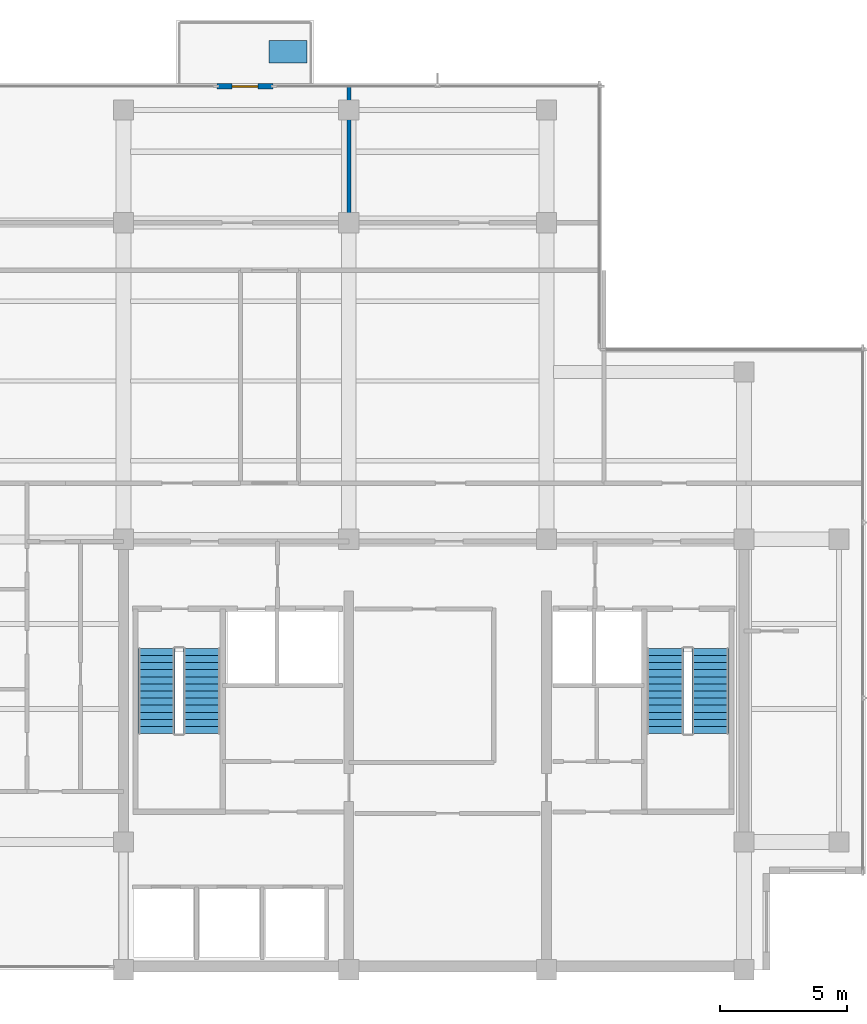
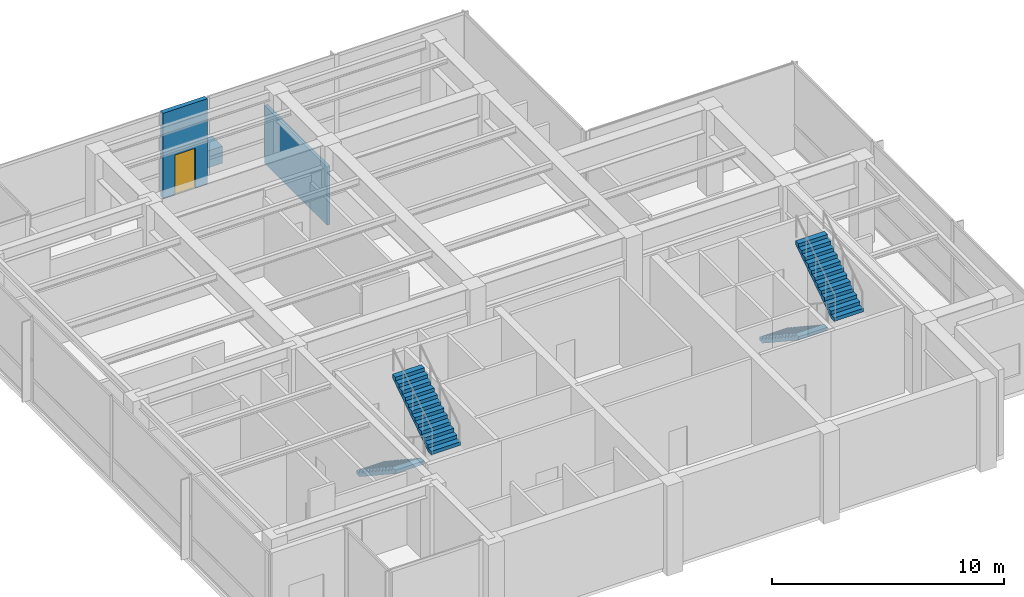
# One storey, part 8 of 11: 4 stair flights, 2 walls, 1 discrete accessory, 1 door, 1 opening, 2 elements without a shape of their own.
"""IFC4 building model written with IfcOpenShell, lengths in metres."""

from ifc_helpers import new_model, si_unit, direction, frame, frame_2d, origin, place, context, subcontext, project, spatial, polyline, rectangle, outline, extrude, material, layer, layer_set, type_object, element, fill, aggregate, save


model = new_model("IFC4")

# Units and contexts
model_context = context("Model", 3, precision=1e-05, world=origin(), true_north=direction((0.0, 1.0)))
body_context = subcontext(model_context, "Body", "Model", "MODEL_VIEW")
ifc_project = project(units=[si_unit("LENGTHUNIT", "METRE"), si_unit("AREAUNIT", "SQUARE_METRE"), si_unit("VOLUMEUNIT", "CUBIC_METRE"), si_unit("PLANEANGLEUNIT", "RADIAN"), si_unit("MASSUNIT", "GRAM", prefix="KILO")], contexts=[model_context])

# Site, building, storey
site_placement = place(None, origin())
site = spatial("IfcSite", under=ifc_project, at=site_placement, CompositionType="ELEMENT")
building_placement = place(site_placement, origin())
building = spatial("IfcBuilding", under=site, at=building_placement, Name="Qalmaran Belvedere Hotel", CompositionType="ELEMENT")
storey_placement = place(building_placement, frame((0.0, 0.0, 293.89990234375)))
storey = spatial("IfcBuildingStorey", under=building, at=storey_placement, Name="L76", CompositionType="ELEMENT", Elevation=293.89990234375)

# Wall, opening, door
ifc_material_1 = material(Name="Anodised Bronze Cladding")
ifc_layer_1 = layer(ifc_material_1, 0.22509765625, Name="Anodised Bronze Cladding")
ifc_layer_set_1 = layer_set([ifc_layer_1], Name="Anodised Bronze Cladding")
wall_type_1 = type_object("IfcWallType", Name="WL-BAL-PORT-225", PredefinedType="SOLIDWALL", material=ifc_layer_set_1)
wall_1_placement = place(storey_placement, frame((24.0, 38.3798828125, 0.0), z_axis=(0.0, 0.0, 1.0), x_axis=(1.0, 0.0, 0.0)))
wall_1 = element("IfcWall", 1, at=wall_1_placement, inside=storey, type_object=wall_type_1, Name="L76 Tree Balcony Door Portal", PredefinedType="SOLIDWALL", context=body_context, shape_type="SweptSolid", body=[
    extrude(rectangle(XDim=2.199951171875, YDim=0.22509765625, at=frame_2d((1.10009765625, 0.0))), origin(), (0.0, 0.0, 1.0), 4.5),
])
opening_placement = place(wall_1_placement, frame((0.590087890625, 0.0, 0.0)))
opening = element("IfcOpeningElement", 2, at=opening_placement, cuts=wall_1, Name="Opening BL-102", PredefinedType="OPENING", context=body_context, shape_type="SweptSolid", body=[
    extrude(rectangle(XDim=1.02001953125, YDim=2.10009765625, at=frame_2d((0.510009765625, 1.050048828125))), frame((0.0, 0.12255859375, 0.0), z_axis=(0.0, -1.0, 0.0), x_axis=(1.0, 0.0, 0.0)), (0.0, 0.0, 1.0), 0.2451171875),
])
ifc_material_2 = material(Name="Anodised Bronze Aluminium", Category="aluminium")
door_type = type_object("IfcDoorType", Name="DR-BAL-1020X2100", OperationType="NOTDEFINED", PredefinedType="DOOR", material=ifc_material_2)
door_placement = place(opening_placement, origin())
door = element("IfcDoor", 3, at=door_placement, inside=storey, type_object=door_type, Name="L76 Planted Tree Balcony Door", OperationType="SINGLE_SWING_LEFT", OverallHeight=2.10009765625, OverallWidth=1.02001953125, PredefinedType="DOOR", context=body_context, shape_type="SweptSolid", body=[
    extrude(rectangle(XDim=1.02001953125, YDim=2.10009765625, at=frame_2d((0.510009765625, 1.050048828125))), frame((0.0, 0.02490234375, 0.0), z_axis=(0.0, -1.0, 0.0), x_axis=(1.0, 0.0, 0.0)), (0.0, 0.0, 1.0), 0.050048828125),
])
fill(opening, door)

# Wall
ifc_material_3 = material(Name="Gypsum Stud Partition")
ifc_layer_2 = layer(ifc_material_3, 0.159912109375, Name="Gypsum Stud Partition")
ifc_layer_set_2 = layer_set([ifc_layer_2], Name="Gypsum Stud Partition")
wall_type_2 = type_object("IfcWallType", Name="WL-INT-160-EI60", PredefinedType="PARTITIONING", material=ifc_layer_set_2)
wall_2_placement = place(storey_placement, frame((29.199951171875, 33.0, 0.0), z_axis=(0.0, 0.0, 1.0), x_axis=(0.0, 1.0, 0.0)))
element("IfcWall", 4, at=wall_2_placement, inside=storey, type_object=wall_type_2, Name="L76 Partition WL-L76-NFV1", PredefinedType="PARTITIONING", context=body_context, shape_type="SweptSolid", body=[
    extrude(rectangle(XDim=5.3798828125, YDim=0.159912109375, at=frame_2d((2.68994140625, 0.0))), origin(), (0.0, 0.0, 1.0), 3.065185546875),
])

# Stair, stair flights
ifc_material_4 = material(Name="Concrete C40/50", Category="concrete")
stair_type_1 = type_object("IfcStairType", Name="STR-ST-1-1450-R1846", PredefinedType="HALF_TURN_STAIR", material=ifc_material_4)
stair_1_placement = place(storey_placement, origin())
stair_1 = element("IfcStair", 5, at=stair_1_placement, inside=storey, type_object=stair_type_1, Name="L76 West Core Exit Stair ST-1", PredefinedType="HALF_TURN_STAIR")
ifc_layer_3 = layer(ifc_material_4, 0.14990234375, Name="Concrete C40/50")
ifc_layer_set_3 = layer_set([ifc_layer_3], Name="Concrete C40/50")
stair_flight_type_1 = type_object("IfcStairFlightType", Name="STF-ST-1-1450-R1846", PredefinedType="STRAIGHT", material=ifc_layer_set_3)
stair_flight_1_placement = place(storey_placement, frame((21.60498046875, 16.18994140625, 0.0), z_axis=(0.0, 0.0, 1.0), x_axis=(0.0, -1.0, 0.0)))
stair_flight_1 = element("IfcStairFlight", 6, at=stair_flight_1_placement, type_object=stair_flight_type_1, Name="ST-1 flight 1", NumberOfRisers=13, NumberOfTreads=12, PredefinedType="STRAIGHT", RiserHeight=0.184615385, TreadLength=0.28, context=body_context, shape_type="SweptSolid", body=[
    extrude(outline(polyline([(0.0, 0.0), (0.0, 0.1845703125), (0.280029296875, 0.1845703125), (0.280029296875, 0.369140625), (0.56005859375, 0.369140625), (0.56005859375, 0.553955078125), (0.840087890625, 0.553955078125), (0.840087890625, 0.738525390625), (1.1201171875, 0.738525390625), (1.1201171875, 0.923095703125), (1.39990234375, 0.923095703125), (1.39990234375, 1.107666015625), (1.679931640625, 1.107666015625), (1.679931640625, 1.292236328125), (1.9599609375, 1.292236328125), (1.9599609375, 1.476806640625), (2.239990234375, 1.476806640625), (2.239990234375, 1.66162109375), (2.52001953125, 1.66162109375), (2.52001953125, 1.84619140625), (2.800048828125, 1.84619140625), (2.800048828125, 2.03076171875), (3.080078125, 2.03076171875), (3.080078125, 2.21533203125), (3.360107421875, 2.21533203125), (3.360107421875, 2.39990234375), (3.360107421875, 2.035888671875), (0.272216796875, 0.0), (0.0, 0.0)])), frame((0.0, 0.72509765625, 0.0), z_axis=(0.0, -1.0, 0.0), x_axis=(1.0, 0.0, 0.0)), (0.0, 0.0, 1.0), 1.449951171875),
])
stair_flight_2_placement = place(storey_placement, frame((23.39501953125, 12.830078125, 2.400146484375), z_axis=(0.0, 0.0, 1.0), x_axis=(0.0, 1.0, 0.0)))
stair_flight_2 = element("IfcStairFlight", 7, at=stair_flight_2_placement, type_object=stair_flight_type_1, Name="ST-1 flight 2", NumberOfRisers=13, NumberOfTreads=12, PredefinedType="STRAIGHT", RiserHeight=0.184615385, TreadLength=0.28, context=body_context, shape_type="SweptSolid", body=[
    extrude(outline(polyline([(0.0, 0.0), (0.0, 0.1845703125), (0.280029296875, 0.1845703125), (0.280029296875, 0.369140625), (0.56005859375, 0.369140625), (0.56005859375, 0.553955078125), (0.840087890625, 0.553955078125), (0.840087890625, 0.738525390625), (1.1201171875, 0.738525390625), (1.1201171875, 0.923095703125), (1.39990234375, 0.923095703125), (1.39990234375, 1.107666015625), (1.679931640625, 1.107666015625), (1.679931640625, 1.292236328125), (1.9599609375, 1.292236328125), (1.9599609375, 1.476806640625), (2.239990234375, 1.476806640625), (2.239990234375, 1.66162109375), (2.52001953125, 1.66162109375), (2.52001953125, 1.84619140625), (2.800048828125, 1.84619140625), (2.800048828125, 2.03076171875), (3.080078125, 2.03076171875), (3.080078125, 2.21533203125), (3.360107421875, 2.21533203125), (3.360107421875, 2.39990234375), (3.360107421875, 2.035888671875), (0.272216796875, 0.0), (0.0, 0.0)])), frame((0.0, 0.72509765625, 0.0), z_axis=(0.0, -1.0, 0.0), x_axis=(1.0, 0.0, 0.0)), (0.0, 0.0, 1.0), 1.449951171875),
])
aggregate(stair_1, [stair_flight_1, stair_flight_2])

stair_type_2 = type_object("IfcStairType", Name="STR-ST-2-1450-R1846", PredefinedType="HALF_TURN_STAIR", material=ifc_material_4)
stair_2_placement = place(storey_placement, origin())
stair_2 = element("IfcStair", 8, at=stair_2_placement, inside=storey, type_object=stair_type_2, Name="L76 East Core Exit Stair ST-2", PredefinedType="HALF_TURN_STAIR")
ifc_layer_4 = layer(ifc_material_4, 0.14990234375, Name="Concrete C40/50")
ifc_layer_set_4 = layer_set([ifc_layer_4], Name="Concrete C40/50")
stair_flight_type_2 = type_object("IfcStairFlightType", Name="STF-ST-2-1450-R1846", PredefinedType="STRAIGHT", material=ifc_layer_set_4)
stair_flight_3_placement = place(storey_placement, frame((41.68505859375, 16.18994140625, 0.0), z_axis=(0.0, 0.0, 1.0), x_axis=(0.0, -1.0, 0.0)))
stair_flight_3 = element("IfcStairFlight", 9, at=stair_flight_3_placement, type_object=stair_flight_type_2, Name="ST-2 flight 1", NumberOfRisers=13, NumberOfTreads=12, PredefinedType="STRAIGHT", RiserHeight=0.184615385, TreadLength=0.28, context=body_context, shape_type="SweptSolid", body=[
    extrude(outline(polyline([(0.0, 0.0), (0.0, 0.1845703125), (0.280029296875, 0.1845703125), (0.280029296875, 0.369140625), (0.56005859375, 0.369140625), (0.56005859375, 0.553955078125), (0.840087890625, 0.553955078125), (0.840087890625, 0.738525390625), (1.1201171875, 0.738525390625), (1.1201171875, 0.923095703125), (1.39990234375, 0.923095703125), (1.39990234375, 1.107666015625), (1.679931640625, 1.107666015625), (1.679931640625, 1.292236328125), (1.9599609375, 1.292236328125), (1.9599609375, 1.476806640625), (2.239990234375, 1.476806640625), (2.239990234375, 1.66162109375), (2.52001953125, 1.66162109375), (2.52001953125, 1.84619140625), (2.800048828125, 1.84619140625), (2.800048828125, 2.03076171875), (3.080078125, 2.03076171875), (3.080078125, 2.21533203125), (3.360107421875, 2.21533203125), (3.360107421875, 2.39990234375), (3.360107421875, 2.035888671875), (0.272216796875, 0.0), (0.0, 0.0)])), frame((0.0, 0.72509765625, 0.0), z_axis=(0.0, -1.0, 0.0), x_axis=(1.0, 0.0, 0.0)), (0.0, 0.0, 1.0), 1.449951171875),
])
stair_flight_4_placement = place(storey_placement, frame((43.47509765625, 12.830078125, 2.400146484375), z_axis=(0.0, 0.0, 1.0), x_axis=(0.0, 1.0, 0.0)))
stair_flight_4 = element("IfcStairFlight", 10, at=stair_flight_4_placement, type_object=stair_flight_type_2, Name="ST-2 flight 2", NumberOfRisers=13, NumberOfTreads=12, PredefinedType="STRAIGHT", RiserHeight=0.184615385, TreadLength=0.28, context=body_context, shape_type="SweptSolid", body=[
    extrude(outline(polyline([(0.0, 0.0), (0.0, 0.1845703125), (0.280029296875, 0.1845703125), (0.280029296875, 0.369140625), (0.56005859375, 0.369140625), (0.56005859375, 0.553955078125), (0.840087890625, 0.553955078125), (0.840087890625, 0.738525390625), (1.1201171875, 0.738525390625), (1.1201171875, 0.923095703125), (1.39990234375, 0.923095703125), (1.39990234375, 1.107666015625), (1.679931640625, 1.107666015625), (1.679931640625, 1.292236328125), (1.9599609375, 1.292236328125), (1.9599609375, 1.476806640625), (2.239990234375, 1.476806640625), (2.239990234375, 1.66162109375), (2.52001953125, 1.66162109375), (2.52001953125, 1.84619140625), (2.800048828125, 1.84619140625), (2.800048828125, 2.03076171875), (3.080078125, 2.03076171875), (3.080078125, 2.21533203125), (3.360107421875, 2.21533203125), (3.360107421875, 2.39990234375), (3.360107421875, 2.035888671875), (0.272216796875, 0.0), (0.0, 0.0)])), frame((0.0, 0.72509765625, 0.0), z_axis=(0.0, -1.0, 0.0), x_axis=(1.0, 0.0, 0.0)), (0.0, 0.0, 1.0), 1.449951171875),
])
aggregate(stair_2, [stair_flight_3, stair_flight_4])

# Discrete accessory
discrete_accessory_type = type_object("IfcDiscreteAccessoryType", Name="PLN-BAL-1500", PredefinedType="USERDEFINED", material=ifc_material_4)
discrete_accessory_placement = place(storey_placement, origin())
element("IfcDiscreteAccessory", 11, at=discrete_accessory_placement, inside=storey, type_object=discrete_accessory_type, Name="L76 Sky Tree Planter", ObjectType="PLANTER", PredefinedType="USERDEFINED", context=body_context, shape_type="SweptSolid", body=[
    extrude(outline(polyline([(26.050048828125, 39.300048828125), (27.550048828125, 39.300048828125), (27.550048828125, 40.199951171875), (26.050048828125, 40.199951171875), (26.050048828125, 39.300048828125)])), origin(), (0.0, 0.0, 1.0), 0.900146484375),
])

save(model, "model.ifc")
